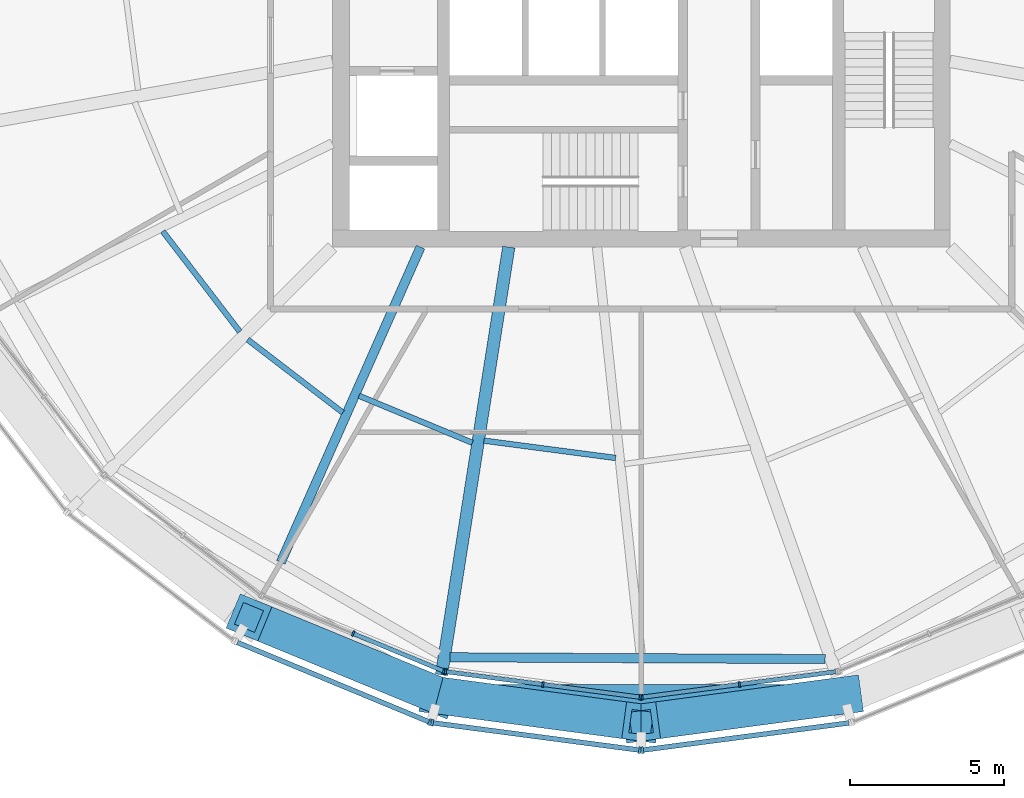
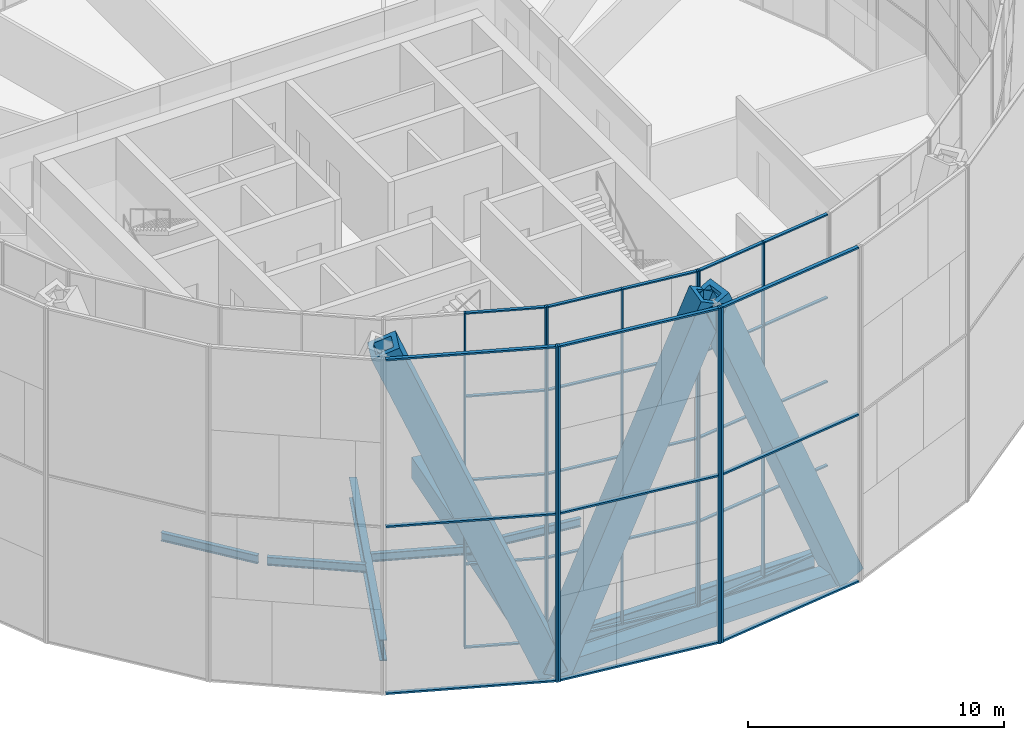
# One storey, part 2 of 30: 48 members, 8 beams, 6 elements without a shape of their own.
"""IFC4 building model written with IfcOpenShell, lengths in metres."""

import ifcopenshell
import ifcopenshell.guid

model = None  # the IFC model being written
_history = None  # IfcOwnerHistory: only IFC2X3 demands one
_inside = {}  # id of a spatial element -> (the spatial element, [elements in it])
_under = {}  # id of a project, library or spatial element -> (it, [spatial elements below it])
_declared = {}  # id of a project -> (the project, [libraries it declares])
_typed = {}  # id of a type object -> (the type object, [elements of that type])
_made_of = {}  # id of a material, layer set ... -> (it, [elements and type objects made of it])


def new_model(schema):
    """Start an empty IFC model of exactly this schema.

    Asked for "IFC4X3", IfcOpenShell would pick the latest addendum, in which some entities
    have other attributes; the version numbers below select the first issue.
    IFC2X3 requires an IfcOwnerHistory on every rooted entity: one is made here for all.
    """
    global model, _history
    if schema == "IFC4X3":
        model = ifcopenshell.file(schema_version=(4, 3, 0, 0))
    else:
        model = ifcopenshell.file(schema=schema)
    _inside.clear()
    _under.clear()
    _declared.clear()
    _typed.clear()
    _made_of.clear()
    _history = None
    if model.schema == "IFC2X3":
        org = make("IfcOrganization", Name="unknown")
        user = make(
            "IfcPersonAndOrganization",
            ThePerson=make("IfcPerson", FamilyName="unknown"),
            TheOrganization=org,
        )
        app = make(
            "IfcApplication",
            ApplicationDeveloper=org,
            Version="unknown",
            ApplicationFullName="unknown",
            ApplicationIdentifier="unknown",
        )
        _history = make(
            "IfcOwnerHistory",
            OwningUser=user,
            OwningApplication=app,
            ChangeAction="ADDED",
            CreationDate=0,
        )
    return model


def make(cls, **values):
    """One entity of the class cls with the attributes given. An attribute that is None is left unset."""
    return model.create_entity(
        cls, **{name: value for name, value in values.items() if value is not None}
    )


def rooted(cls, **values):
    """An entity with a GlobalId (a new one), such as an element, a storey or a relation."""
    return make(cls, GlobalId=ifcopenshell.guid.new(), OwnerHistory=_history, **values)


def si_unit(unit_type, name, prefix=None):
    """IfcSIUnit, for example si_unit("LENGTHUNIT", "METRE", prefix="MILLI")."""
    return make("IfcSIUnit", UnitType=unit_type, Prefix=prefix, Name=name)


def assignment(units):
    """IfcUnitAssignment: the units of a project."""
    return None if units is None else make("IfcUnitAssignment", Units=units)


def point(xyz):
    """IfcCartesianPoint."""
    return None if xyz is None else make("IfcCartesianPoint", Coordinates=xyz)


def direction(xyz):
    """IfcDirection."""
    return None if xyz is None else make("IfcDirection", DirectionRatios=xyz)


def frame(location, z_axis=None, x_axis=None):
    """IfcAxis2Placement3D, a coordinate frame: its origin and axes. An axis left out is left unset."""
    return make(
        "IfcAxis2Placement3D",
        Location=point(location),
        Axis=direction(z_axis),
        RefDirection=direction(x_axis),
    )


def frame_2d(location, x_axis=None):
    """IfcAxis2Placement2D, a coordinate frame in the plane: its origin and x axis."""
    return make(
        "IfcAxis2Placement2D", Location=point(location), RefDirection=direction(x_axis)
    )


def origin():
    """The frame at (0, 0, 0) with its axes left unset."""
    return frame((0.0, 0.0, 0.0))


def origin_2d():
    """The frame at (0, 0) in the plane with its x axis left unset."""
    return frame_2d((0.0, 0.0))


def place(relative_to, where):
    """IfcLocalPlacement: puts the frame where relative to a parent placement (None: the world)."""
    return make(
        "IfcLocalPlacement", PlacementRelTo=relative_to, RelativePlacement=where
    )


def context(
    kind, dimensions, precision=None, world=None, true_north=None, identifier=None
):
    """IfcGeometricRepresentationContext, for example the 3D "Model" context."""
    return make(
        "IfcGeometricRepresentationContext",
        ContextIdentifier=identifier,
        ContextType=kind,
        CoordinateSpaceDimension=dimensions,
        Precision=precision,
        WorldCoordinateSystem=world,
        TrueNorth=true_north,
    )


def subcontext(parent, identifier, kind, view, scale=None):
    """IfcGeometricRepresentationSubContext, for example "Body" below "Model"."""
    return make(
        "IfcGeometricRepresentationSubContext",
        ContextIdentifier=identifier,
        ContextType=kind,
        ParentContext=parent,
        TargetScale=scale,
        TargetView=view,
    )


def project(units=None, contexts=None):
    """IfcProject with its units and contexts."""
    return rooted(
        "IfcProject",
        Name="project",
        RepresentationContexts=contexts,
        UnitsInContext=assignment(units),
    )


def spatial(cls, under=None, at=None, **own):
    """A site, building, storey or space (cls), placed at a placement, below another one or the project."""
    s = rooted(cls, ObjectPlacement=at, **own)
    if under is not None:
        _under.setdefault(under.id(), (under, []))[1].append(s)
    return s


def profile(cls, at=None, kind="AREA", **sizes):
    """A parametric profile (cls). Its sizes go by their IFC names, for example OverallWidth=200.0."""
    return make(cls, ProfileType=kind, Position=at, **sizes)


def rectangle(**sizes):
    """IfcRectangleProfileDef."""
    return profile("IfcRectangleProfileDef", **sizes)


def hollow_rectangle(**sizes):
    """IfcRectangleHollowProfileDef."""
    return profile("IfcRectangleHollowProfileDef", **sizes)


def i_section(**sizes):
    """IfcIShapeProfileDef."""
    return profile("IfcIShapeProfileDef", **sizes)


def extrude(swept, where, along, depth):
    """IfcExtrudedAreaSolid: the profile swept, set in the frame where, extruded along a direction by depth."""
    return make(
        "IfcExtrudedAreaSolid",
        SweptArea=swept,
        Position=where,
        ExtrudedDirection=direction(along),
        Depth=depth,
    )


def shape(context_of_items, identifier, shape_type, items):
    """IfcShapeRepresentation: the items that make up one representation, for example the "Body"."""
    return make(
        "IfcShapeRepresentation",
        ContextOfItems=context_of_items,
        RepresentationIdentifier=identifier,
        RepresentationType=shape_type,
        Items=items,
    )


def material(Name=None, Category=None):
    """IfcMaterial."""
    return make("IfcMaterial", Name=Name, Category=Category)


def material_profile(
    of_material, cross_section, Name=None, Category=None, Priority=None
):
    """IfcMaterialProfile: a cross section and its material."""
    return make(
        "IfcMaterialProfile",
        Name=Name,
        Material=of_material,
        Profile=cross_section,
        Priority=Priority,
        Category=Category,
    )


def profile_set(profiles, Name=None, composite=None):
    """IfcMaterialProfileSet."""
    return make(
        "IfcMaterialProfileSet",
        Name=Name,
        MaterialProfiles=profiles,
        CompositeProfile=composite,
    )


def made_of(thing, what):
    """Note that an element or type object is made of a material, layer set ...; save() writes the relation."""
    if what is not None:
        _made_of.setdefault(what.id(), (what, []))[1].append(thing)
    return thing


def type_object(cls, material=None, **own):
    """A type object (cls), such as IfcWallType, which elements share."""
    return made_of(rooted(cls, **own), material)


def element(
    cls,
    number,
    at=None,
    inside=None,
    cuts=None,
    type_object=None,
    material=None,
    context=None,
    identifier="Body",
    shape_type=None,
    held_by="IfcProductDefinitionShape",
    body=None,
    shapes=None,
    **own,
):
    """One element of the class cls, such as IfcWall. Its Tag is "e" and its number.

    at: its placement. inside: the storey or other place that contains it. cuts: it is an
    opening in that element (IfcRelVoidsElement). A single representation is given by context,
    identifier, shape_type and body (its items); several are given by shapes. held_by: the class
    of the entity that holds the representations. save() writes the other relations.
    """
    e = rooted(cls, Tag="e%d" % number, ObjectPlacement=at, **own)
    if body is not None:
        shapes = [shape(context, identifier, shape_type, body)]
    if shapes is not None:
        e.Representation = make(held_by, Representations=shapes)
    if inside is not None:
        _inside.setdefault(inside.id(), (inside, []))[1].append(e)
    if cuts is not None:
        rooted(
            "IfcRelVoidsElement", RelatingBuildingElement=cuts, RelatedOpeningElement=e
        )
    if type_object is not None:
        _typed.setdefault(type_object.id(), (type_object, []))[1].append(e)
    return made_of(e, material)


def aggregate(whole, parts):
    """IfcRelAggregates: a whole, such as a stair, and the parts it consists of."""
    return rooted("IfcRelAggregates", RelatingObject=whole, RelatedObjects=parts)


def save(model, path):
    """Write the relations noted so far, then the file.

    IfcRelAggregates (storeys below a building ...), IfcRelContainedInSpatialStructure (elements
    in a storey), IfcRelDefinesByType, IfcRelAssociatesMaterial and IfcRelDeclares: one each for
    every whole, place, type object, material and project.
    """
    for whole, parts in _under.values():
        aggregate(whole, parts)
    for where, things in _inside.values():
        rooted(
            "IfcRelContainedInSpatialStructure",
            RelatedElements=things,
            RelatingStructure=where,
        )
    for kind, things in _typed.values():
        rooted("IfcRelDefinesByType", RelatedObjects=things, RelatingType=kind)
    for what, things in _made_of.values():
        rooted("IfcRelAssociatesMaterial", RelatedObjects=things, RelatingMaterial=what)
    for by, libraries in _declared.values():
        rooted("IfcRelDeclares", RelatingContext=by, RelatedDefinitions=libraries)
    model.write(path)


model = new_model("IFC4")

# Units and contexts
model_context = context("Model", 3, precision=1e-05, world=origin(), true_north=direction((0.0, 1.0)))
body_context = subcontext(model_context, "Body", "Model", "MODEL_VIEW")
ifc_project = project(units=[si_unit("LENGTHUNIT", "METRE"), si_unit("AREAUNIT", "SQUARE_METRE"), si_unit("VOLUMEUNIT", "CUBIC_METRE"), si_unit("PLANEANGLEUNIT", "RADIAN"), si_unit("MASSUNIT", "GRAM", prefix="KILO")], contexts=[model_context])

# Site, building, storey
site_placement = place(None, origin())
site = spatial("IfcSite", under=ifc_project, at=site_placement, CompositionType="ELEMENT")
building_placement = place(site_placement, origin())
building = spatial("IfcBuilding", under=site, at=building_placement, Name="Golbaran Civic Tower", CompositionType="ELEMENT")
storey_placement = place(building_placement, frame((0.0, 0.0, 102.0)))
storey = spatial("IfcBuildingStorey", under=building, at=storey_placement, Name="L24", CompositionType="ELEMENT", Elevation=102.0)

# Members
ifc_material_1 = material(Name="Steel S355", Category="steel")
ifc_material_profile_1 = material_profile(ifc_material_1, hollow_rectangle(XDim=1.199951171875, YDim=1.199951171875, WallThickness=0.219970703125, at=origin_2d()), Name="BOX 1200x1200x220")
ifc_profile_set_1 = profile_set([ifc_material_profile_1], Name="Steel S355")
member_type_1 = type_object("IfcMemberType", Name="DIAGRID DIAGONAL BOX 1200x1200x220", PredefinedType="BRACE", material=ifc_profile_set_1)
for number, where, z_axis, x_axis, name in (
    (1, (-6.569091796875, -24.51611328125, -0.7099609375), (0.379315997273, -0.050637494414, 0.923880521697), (0.132322975426, 0.991206653617, 0.0), "Diagonal D05-08R L24-L28"),
    (2, (-6.569091796875, -24.51611328125, -0.7099609375), (-0.353814050585, 0.145808380158, 0.923880692451), (-0.381018447137, -0.924567435583, 0.0), "Diagonal D05-08L L24-L28"),
    (3, (6.569091796875, -24.51611328125, -0.7099609375), (-0.379315997273, -0.050637494414, 0.923880521697), (0.132322975426, -0.991206653617, 0.0), "Diagonal D05-09L L24-L28"),
):
    element("IfcMember", number, at=place(storey_placement, frame(where, z_axis=z_axis, x_axis=x_axis)), inside=storey, type_object=member_type_1, Name=name, PredefinedType="BRACE", context=body_context, shape_type="SweptSolid", body=[
        extrude(hollow_rectangle(XDim=1.199951171875, YDim=1.199951171875, WallThickness=0.219970703125, at=origin_2d()), origin(), (0.0, 0.0, 1.0), 17.318359375),
    ])

# Beams
ifc_material_profile_2 = material_profile(ifc_material_1, hollow_rectangle(XDim=0.699951171875, YDim=0.699951171875, WallThickness=0.080078125, at=origin_2d()), Name="BOX 700x700x80")
ifc_profile_set_2 = profile_set([ifc_material_profile_2], Name="Steel S355")
beam_type_1 = type_object("IfcBeamType", Name="DIAGRID RING TIE BOX 700x700x80", PredefinedType="BEAM", material=ifc_profile_set_2)
beam_1_placement = place(storey_placement, frame((-6.569091796875, -24.51611328125, -0.7099609375), z_axis=(1.0, 0.0, 0.0), x_axis=(0.0, 1.0, 0.0)))
element("IfcBeam", 4, at=beam_1_placement, inside=storey, type_object=beam_type_1, Name="Ring tie 255.00 L24", PredefinedType="BEAM", context=body_context, shape_type="SweptSolid", body=[
    extrude(hollow_rectangle(XDim=0.699951171875, YDim=0.699951171875, WallThickness=0.080078125, at=origin_2d()), origin(), (0.0, 0.0, 1.0), 13.13818359375),
])
ifc_material_profile_3 = material_profile(ifc_material_1, i_section(OverallWidth=0.300048828125, OverallDepth=0.800048828125, WebThickness=0.017578125, FlangeThickness=0.032958984375, FilletRadius=0.030029296875, at=origin_2d()), Name="HEB 800")
ifc_profile_set_3 = profile_set([ifc_material_profile_3], Name="Steel S355")
beam_type_2 = type_object("IfcBeamType", Name="EDGE BEAM HEB 800", PredefinedType="BEAM", material=ifc_profile_set_3)
beam_2_placement = place(storey_placement, frame((-6.192626953125, -23.281494140625, -0.60009765625), z_axis=(0.999988572418, -0.004780693816, 0.0), x_axis=(0.004780693816, 0.999988572418, 0.0)))
element("IfcBeam", 5, at=beam_2_placement, inside=storey, type_object=beam_type_2, Name="Edge beam 255.00 L24", PredefinedType="BEAM", context=body_context, shape_type="SweptSolid", body=[
    extrude(i_section(OverallWidth=0.300048828125, OverallDepth=0.800048828125, WebThickness=0.017578125, FlangeThickness=0.032958984375, FilletRadius=0.030029296875, at=origin_2d()), origin(), (0.0, 0.0, 1.0), 12.154296875),
])
ifc_material_profile_4 = material_profile(ifc_material_1, i_section(OverallWidth=0.179931640625, OverallDepth=0.39990234375, WebThickness=0.008544921875, FlangeThickness=0.013427734375, FilletRadius=0.02099609375, at=origin_2d()), Name="IPE 400")
ifc_profile_set_4 = profile_set([ifc_material_profile_4], Name="Steel S355")
beam_type_3 = type_object("IfcBeamType", Name="FLOOR INFILL BEAM IPE 400", PredefinedType="BEAM", material=ifc_profile_set_4)
beam_3_placement = place(storey_placement, frame((-15.48828125, -9.48876953125, -0.39990234375), z_axis=(0.608762972418, -0.793352155989, 0.0), x_axis=(0.793352155989, 0.608762972418, 0.0)))
element("IfcBeam", 6, at=beam_3_placement, inside=storey, type_object=beam_type_3, Name="Infill beam 217.50 L24", PredefinedType="BEAM", context=body_context, shape_type="SweptSolid", body=[
    extrude(i_section(OverallWidth=0.179931640625, OverallDepth=0.39990234375, WebThickness=0.008544921875, FlangeThickness=0.013427734375, FilletRadius=0.02099609375, at=origin_2d()), origin(), (0.0, 0.0, 1.0), 4.097412109375),
])
beam_4_placement = place(storey_placement, frame((-12.739990234375, -12.99462890625, -0.39990234375), z_axis=(0.793364412918, -0.608746998609, 0.0), x_axis=(0.608746998609, 0.793364412918, 0.0)))
element("IfcBeam", 7, at=beam_4_placement, inside=storey, type_object=beam_type_3, Name="Infill beam 232.50 L24", PredefinedType="BEAM", context=body_context, shape_type="SweptSolid", body=[
    extrude(i_section(OverallWidth=0.179931640625, OverallDepth=0.39990234375, WebThickness=0.008544921875, FlangeThickness=0.013427734375, FilletRadius=0.02099609375, at=origin_2d()), origin(), (0.0, 0.0, 1.0), 3.882568359375),
])
beam_5_placement = place(storey_placement, frame((-9.134521484375, -14.815185546875, -0.39990234375), z_axis=(0.923876761778, -0.382690121439, 0.0), x_axis=(0.382690121439, 0.923876761778, 0.0)))
element("IfcBeam", 8, at=beam_5_placement, inside=storey, type_object=beam_type_3, Name="Infill beam 247.50 L24", PredefinedType="BEAM", context=body_context, shape_type="SweptSolid", body=[
    extrude(i_section(OverallWidth=0.179931640625, OverallDepth=0.39990234375, WebThickness=0.008544921875, FlangeThickness=0.013427734375, FilletRadius=0.02099609375, at=origin_2d()), origin(), (0.0, 0.0, 1.0), 3.97265625),
])
beam_6_placement = place(storey_placement, frame((-5.08935546875, -16.266845703125, -0.39990234375), z_axis=(0.99145062314, -0.130482419791, 0.0), x_axis=(0.130482419791, 0.99145062314, 0.0)))
element("IfcBeam", 9, at=beam_6_placement, inside=storey, type_object=beam_type_3, Name="Infill beam 262.50 L24", PredefinedType="BEAM", context=body_context, shape_type="SweptSolid", body=[
    extrude(i_section(OverallWidth=0.179931640625, OverallDepth=0.39990234375, WebThickness=0.008544921875, FlangeThickness=0.013427734375, FilletRadius=0.02099609375, at=origin_2d()), origin(), (0.0, 0.0, 1.0), 4.2998046875),
])

# Curtain wall, members
ifc_material_2 = material(Name="Aluminium and glass", Category="aluminium")
curtain_wall_type_1 = type_object("IfcCurtainWallType", Name="INNER SKIN CURTAIN WALL", PredefinedType="NOTDEFINED", material=ifc_material_2)
curtain_wall_1_placement = place(storey_placement, origin())
curtain_wall_1 = element("IfcCurtainWall", 10, at=curtain_wall_1_placement, inside=storey, type_object=curtain_wall_type_1, Name="Inner skin L24 facet 17 CW1", ObjectType="INNER SKIN", PredefinedType="USERDEFINED")
ifc_material_3 = material(Name="Aluminium", Category="aluminium")
ifc_material_profile_5 = material_profile(ifc_material_3, rectangle(XDim=0.179931640625, YDim=0.06494140625, at=origin_2d()), Name="INNER SKIN CURTAIN WALL MULLION")
ifc_profile_set_5 = profile_set([ifc_material_profile_5], Name="Aluminium")
member_type_2 = type_object("IfcMemberType", Name="INNER SKIN CURTAIN WALL MULLION", PredefinedType="MULLION", material=ifc_profile_set_5)
member_1_placement = place(storey_placement, frame((-9.3251953125, -22.512939453125, 0.0), z_axis=(0.0, 0.0, 1.0), x_axis=(0.382683432478, 0.923879532465, 0.0)))
member_1 = element("IfcMember", 11, at=member_1_placement, type_object=member_type_2, Name="CW1 mullion 2", PredefinedType="MULLION", context=body_context, shape_type="SweptSolid", body=[
    extrude(rectangle(XDim=0.179931640625, YDim=0.06494140625, at=origin_2d()), origin(), (0.0, 0.0, 1.0), 16.0),
])
member_2_placement = place(storey_placement, frame((-6.391357421875, -23.72802734375, 0.0), z_axis=(0.0, 0.0, 1.0), x_axis=(0.382683432478, 0.923879532465, 0.0)))
member_2 = element("IfcMember", 12, at=member_2_placement, type_object=member_type_2, Name="CW1 mullion 3", PredefinedType="MULLION", context=body_context, shape_type="SweptSolid", body=[
    extrude(rectangle(XDim=0.179931640625, YDim=0.06494140625, at=origin_2d()), origin(), (0.0, 0.0, 1.0), 16.0),
])

curtain_wall_2_placement = place(storey_placement, origin())
curtain_wall_2 = element("IfcCurtainWall", 13, at=curtain_wall_2_placement, inside=storey, type_object=curtain_wall_type_1, Name="Inner skin L24 facet 18 CW1", ObjectType="INNER SKIN", PredefinedType="USERDEFINED")
member_3_placement = place(storey_placement, frame((-6.3291015625, -23.744873046875, 0.0), z_axis=(0.0, 0.0, 1.0), x_axis=(0.130526192134, 0.991444861385, 0.0)))
member_3 = element("IfcMember", 14, at=member_3_placement, type_object=member_type_2, Name="CW1 mullion 1", PredefinedType="MULLION", context=body_context, shape_type="SweptSolid", body=[
    extrude(rectangle(XDim=0.179931640625, YDim=0.06494140625, at=origin_2d()), origin(), (0.0, 0.0, 1.0), 16.0),
])
member_4_placement = place(storey_placement, frame((-3.1806640625, -24.1591796875, 0.0), z_axis=(0.0, 0.0, 1.0), x_axis=(0.130526192134, 0.991444861385, 0.0)))
member_4 = element("IfcMember", 15, at=member_4_placement, type_object=member_type_2, Name="CW1 mullion 2", PredefinedType="MULLION", context=body_context, shape_type="SweptSolid", body=[
    extrude(rectangle(XDim=0.179931640625, YDim=0.06494140625, at=origin_2d()), origin(), (0.0, 0.0, 1.0), 16.0),
])
member_5_placement = place(storey_placement, frame((-0.0322265625, -24.57373046875, 0.0), z_axis=(0.0, 0.0, 1.0), x_axis=(0.130526192134, 0.991444861385, 0.0)))
member_5 = element("IfcMember", 16, at=member_5_placement, type_object=member_type_2, Name="CW1 mullion 3", PredefinedType="MULLION", context=body_context, shape_type="SweptSolid", body=[
    extrude(rectangle(XDim=0.179931640625, YDim=0.06494140625, at=origin_2d()), origin(), (0.0, 0.0, 1.0), 16.0),
])

curtain_wall_3_placement = place(storey_placement, origin())
curtain_wall_3 = element("IfcCurtainWall", 17, at=curtain_wall_3_placement, inside=storey, type_object=curtain_wall_type_1, Name="Inner skin L24 facet 19 CW1", ObjectType="INNER SKIN", PredefinedType="USERDEFINED")
member_6_placement = place(storey_placement, frame((0.0322265625, -24.57373046875, 0.0), z_axis=(0.0, 0.0, 1.0), x_axis=(-0.130526192134, 0.991444861385, 0.0)))
member_6 = element("IfcMember", 18, at=member_6_placement, type_object=member_type_2, Name="CW1 mullion 1", PredefinedType="MULLION", context=body_context, shape_type="SweptSolid", body=[
    extrude(rectangle(XDim=0.179931640625, YDim=0.06494140625, at=origin_2d()), origin(), (0.0, 0.0, 1.0), 16.0),
])
member_7_placement = place(storey_placement, frame((3.1806640625, -24.1591796875, 0.0), z_axis=(0.0, 0.0, 1.0), x_axis=(-0.130526192134, 0.991444861385, 0.0)))
member_7 = element("IfcMember", 19, at=member_7_placement, type_object=member_type_2, Name="CW1 mullion 2", PredefinedType="MULLION", context=body_context, shape_type="SweptSolid", body=[
    extrude(rectangle(XDim=0.179931640625, YDim=0.06494140625, at=origin_2d()), origin(), (0.0, 0.0, 1.0), 16.0),
])

# Member
ifc_material_profile_6 = material_profile(ifc_material_3, rectangle(XDim=0.139892578125, YDim=0.06494140625, at=origin_2d()), Name="INNER SKIN CURTAIN WALL TRANSOM")
ifc_profile_set_6 = profile_set([ifc_material_profile_6], Name="Aluminium")
member_type_3 = type_object("IfcMemberType", Name="INNER SKIN CURTAIN WALL TRANSOM", PredefinedType="USERDEFINED", material=ifc_profile_set_6)
member_8_placement = place(storey_placement, frame((-9.295166015625, -22.525390625, 0.032470703125), z_axis=(0.923899174075, -0.382636009992, 0.0), x_axis=(0.382636009992, 0.923899174075, 0.0)))
member_8 = element("IfcMember", 20, at=member_8_placement, type_object=member_type_3, Name="CW1 transom 2.1", ObjectType="TRANSOM", PredefinedType="USERDEFINED", context=body_context, shape_type="SweptSolid", body=[
    extrude(rectangle(XDim=0.139892578125, YDim=0.06494140625, at=origin_2d()), origin(), (0.0, 0.0, 1.0), 3.110595703125),
])

member_9_placement = place(storey_placement, frame((-9.295166015625, -22.525390625, 4.0), z_axis=(0.923899174075, -0.382636009992, 0.0), x_axis=(0.382636009992, 0.923899174075, 0.0)))
member_9 = element("IfcMember", 21, at=member_9_placement, type_object=member_type_3, Name="CW1 transom 2.2", ObjectType="TRANSOM", PredefinedType="USERDEFINED", context=body_context, shape_type="SweptSolid", body=[
    extrude(rectangle(XDim=0.139892578125, YDim=0.06494140625, at=origin_2d()), origin(), (0.0, 0.0, 1.0), 3.110595703125),
])

member_10_placement = place(storey_placement, frame((-9.295166015625, -22.525390625, 8.0), z_axis=(0.923899174075, -0.382636009992, 0.0), x_axis=(0.382636009992, 0.923899174075, 0.0)))
member_10 = element("IfcMember", 22, at=member_10_placement, type_object=member_type_3, Name="CW1 transom 2.3", ObjectType="TRANSOM", PredefinedType="USERDEFINED", context=body_context, shape_type="SweptSolid", body=[
    extrude(rectangle(XDim=0.139892578125, YDim=0.06494140625, at=origin_2d()), origin(), (0.0, 0.0, 1.0), 3.110595703125),
])

member_11_placement = place(storey_placement, frame((-9.295166015625, -22.525390625, 12.0), z_axis=(0.923899174075, -0.382636009992, 0.0), x_axis=(0.382636009992, 0.923899174075, 0.0)))
member_11 = element("IfcMember", 23, at=member_11_placement, type_object=member_type_3, Name="CW1 transom 2.4", ObjectType="TRANSOM", PredefinedType="USERDEFINED", context=body_context, shape_type="SweptSolid", body=[
    extrude(rectangle(XDim=0.139892578125, YDim=0.06494140625, at=origin_2d()), origin(), (0.0, 0.0, 1.0), 3.110595703125),
])

member_12_placement = place(storey_placement, frame((-9.295166015625, -22.525390625, 15.967529296875), z_axis=(0.923899174075, -0.382636009992, 0.0), x_axis=(0.382636009992, 0.923899174075, 0.0)))
member_12 = element("IfcMember", 24, at=member_12_placement, type_object=member_type_3, Name="CW1 transom 2.5", ObjectType="TRANSOM", PredefinedType="USERDEFINED", context=body_context, shape_type="SweptSolid", body=[
    extrude(rectangle(XDim=0.139892578125, YDim=0.06494140625, at=origin_2d()), origin(), (0.0, 0.0, 1.0), 3.110595703125),
])

aggregate(curtain_wall_1, [member_1, member_2, member_8, member_9, member_10, member_11, member_12])

member_13_placement = place(storey_placement, frame((-6.296875, -23.7490234375, 0.032470703125), z_axis=(0.991445210256, -0.130523542167, 0.0), x_axis=(0.130523542167, 0.991445210256, 0.0)))
member_13 = element("IfcMember", 25, at=member_13_placement, type_object=member_type_3, Name="CW1 transom 1.1", ObjectType="TRANSOM", PredefinedType="USERDEFINED", context=body_context, shape_type="SweptSolid", body=[
    extrude(rectangle(XDim=0.139892578125, YDim=0.06494140625, at=origin_2d()), origin(), (0.0, 0.0, 1.0), 3.110595703125),
])

member_14_placement = place(storey_placement, frame((-6.296875, -23.7490234375, 4.0), z_axis=(0.991445210256, -0.130523542167, 0.0), x_axis=(0.130523542167, 0.991445210256, 0.0)))
member_14 = element("IfcMember", 26, at=member_14_placement, type_object=member_type_3, Name="CW1 transom 1.2", ObjectType="TRANSOM", PredefinedType="USERDEFINED", context=body_context, shape_type="SweptSolid", body=[
    extrude(rectangle(XDim=0.139892578125, YDim=0.06494140625, at=origin_2d()), origin(), (0.0, 0.0, 1.0), 3.110595703125),
])

member_15_placement = place(storey_placement, frame((-6.296875, -23.7490234375, 8.0), z_axis=(0.991445210256, -0.130523542167, 0.0), x_axis=(0.130523542167, 0.991445210256, 0.0)))
member_15 = element("IfcMember", 27, at=member_15_placement, type_object=member_type_3, Name="CW1 transom 1.3", ObjectType="TRANSOM", PredefinedType="USERDEFINED", context=body_context, shape_type="SweptSolid", body=[
    extrude(rectangle(XDim=0.139892578125, YDim=0.06494140625, at=origin_2d()), origin(), (0.0, 0.0, 1.0), 3.110595703125),
])

member_16_placement = place(storey_placement, frame((-6.296875, -23.7490234375, 12.0), z_axis=(0.991445210256, -0.130523542167, 0.0), x_axis=(0.130523542167, 0.991445210256, 0.0)))
member_16 = element("IfcMember", 28, at=member_16_placement, type_object=member_type_3, Name="CW1 transom 1.4", ObjectType="TRANSOM", PredefinedType="USERDEFINED", context=body_context, shape_type="SweptSolid", body=[
    extrude(rectangle(XDim=0.139892578125, YDim=0.06494140625, at=origin_2d()), origin(), (0.0, 0.0, 1.0), 3.110595703125),
])

member_17_placement = place(storey_placement, frame((-6.296875, -23.7490234375, 15.967529296875), z_axis=(0.991445210256, -0.130523542167, 0.0), x_axis=(0.130523542167, 0.991445210256, 0.0)))
member_17 = element("IfcMember", 29, at=member_17_placement, type_object=member_type_3, Name="CW1 transom 1.5", ObjectType="TRANSOM", PredefinedType="USERDEFINED", context=body_context, shape_type="SweptSolid", body=[
    extrude(rectangle(XDim=0.139892578125, YDim=0.06494140625, at=origin_2d()), origin(), (0.0, 0.0, 1.0), 3.110595703125),
])

member_18_placement = place(storey_placement, frame((-3.1484375, -24.16357421875, 0.032470703125), z_axis=(0.991445210256, -0.130523542167, 0.0), x_axis=(0.130523542167, 0.991445210256, 0.0)))
member_18 = element("IfcMember", 30, at=member_18_placement, type_object=member_type_3, Name="CW1 transom 2.1", ObjectType="TRANSOM", PredefinedType="USERDEFINED", context=body_context, shape_type="SweptSolid", body=[
    extrude(rectangle(XDim=0.139892578125, YDim=0.06494140625, at=origin_2d()), origin(), (0.0, 0.0, 1.0), 3.110595703125),
])

member_19_placement = place(storey_placement, frame((-3.1484375, -24.16357421875, 4.0), z_axis=(0.991445210256, -0.130523542167, 0.0), x_axis=(0.130523542167, 0.991445210256, 0.0)))
member_19 = element("IfcMember", 31, at=member_19_placement, type_object=member_type_3, Name="CW1 transom 2.2", ObjectType="TRANSOM", PredefinedType="USERDEFINED", context=body_context, shape_type="SweptSolid", body=[
    extrude(rectangle(XDim=0.139892578125, YDim=0.06494140625, at=origin_2d()), origin(), (0.0, 0.0, 1.0), 3.110595703125),
])

member_20_placement = place(storey_placement, frame((-3.1484375, -24.16357421875, 8.0), z_axis=(0.991445210256, -0.130523542167, 0.0), x_axis=(0.130523542167, 0.991445210256, 0.0)))
member_20 = element("IfcMember", 32, at=member_20_placement, type_object=member_type_3, Name="CW1 transom 2.3", ObjectType="TRANSOM", PredefinedType="USERDEFINED", context=body_context, shape_type="SweptSolid", body=[
    extrude(rectangle(XDim=0.139892578125, YDim=0.06494140625, at=origin_2d()), origin(), (0.0, 0.0, 1.0), 3.110595703125),
])

member_21_placement = place(storey_placement, frame((-3.1484375, -24.16357421875, 12.0), z_axis=(0.991445210256, -0.130523542167, 0.0), x_axis=(0.130523542167, 0.991445210256, 0.0)))
member_21 = element("IfcMember", 33, at=member_21_placement, type_object=member_type_3, Name="CW1 transom 2.4", ObjectType="TRANSOM", PredefinedType="USERDEFINED", context=body_context, shape_type="SweptSolid", body=[
    extrude(rectangle(XDim=0.139892578125, YDim=0.06494140625, at=origin_2d()), origin(), (0.0, 0.0, 1.0), 3.110595703125),
])

member_22_placement = place(storey_placement, frame((-3.1484375, -24.16357421875, 15.967529296875), z_axis=(0.991445210256, -0.130523542167, 0.0), x_axis=(0.130523542167, 0.991445210256, 0.0)))
member_22 = element("IfcMember", 34, at=member_22_placement, type_object=member_type_3, Name="CW1 transom 2.5", ObjectType="TRANSOM", PredefinedType="USERDEFINED", context=body_context, shape_type="SweptSolid", body=[
    extrude(rectangle(XDim=0.139892578125, YDim=0.06494140625, at=origin_2d()), origin(), (0.0, 0.0, 1.0), 3.110595703125),
])

aggregate(curtain_wall_2, [member_3, member_4, member_5, member_13, member_14, member_15, member_16, member_17, member_18, member_19, member_20, member_21, member_22])

member_23_placement = place(storey_placement, frame((0.064453125, -24.569580078125, 0.032470703125), z_axis=(0.991445210256, 0.130523542167, 0.0), x_axis=(-0.130523542167, 0.991445210256, 0.0)))
member_23 = element("IfcMember", 35, at=member_23_placement, type_object=member_type_3, Name="CW1 transom 1.1", ObjectType="TRANSOM", PredefinedType="USERDEFINED", context=body_context, shape_type="SweptSolid", body=[
    extrude(rectangle(XDim=0.139892578125, YDim=0.06494140625, at=origin_2d()), origin(), (0.0, 0.0, 1.0), 3.110595703125),
])

member_24_placement = place(storey_placement, frame((0.064453125, -24.569580078125, 4.0), z_axis=(0.991445210256, 0.130523542167, 0.0), x_axis=(-0.130523542167, 0.991445210256, 0.0)))
member_24 = element("IfcMember", 36, at=member_24_placement, type_object=member_type_3, Name="CW1 transom 1.2", ObjectType="TRANSOM", PredefinedType="USERDEFINED", context=body_context, shape_type="SweptSolid", body=[
    extrude(rectangle(XDim=0.139892578125, YDim=0.06494140625, at=origin_2d()), origin(), (0.0, 0.0, 1.0), 3.110595703125),
])

member_25_placement = place(storey_placement, frame((0.064453125, -24.569580078125, 8.0), z_axis=(0.991445210256, 0.130523542167, 0.0), x_axis=(-0.130523542167, 0.991445210256, 0.0)))
member_25 = element("IfcMember", 37, at=member_25_placement, type_object=member_type_3, Name="CW1 transom 1.3", ObjectType="TRANSOM", PredefinedType="USERDEFINED", context=body_context, shape_type="SweptSolid", body=[
    extrude(rectangle(XDim=0.139892578125, YDim=0.06494140625, at=origin_2d()), origin(), (0.0, 0.0, 1.0), 3.110595703125),
])

member_26_placement = place(storey_placement, frame((0.064453125, -24.569580078125, 12.0), z_axis=(0.991445210256, 0.130523542167, 0.0), x_axis=(-0.130523542167, 0.991445210256, 0.0)))
member_26 = element("IfcMember", 38, at=member_26_placement, type_object=member_type_3, Name="CW1 transom 1.4", ObjectType="TRANSOM", PredefinedType="USERDEFINED", context=body_context, shape_type="SweptSolid", body=[
    extrude(rectangle(XDim=0.139892578125, YDim=0.06494140625, at=origin_2d()), origin(), (0.0, 0.0, 1.0), 3.110595703125),
])

member_27_placement = place(storey_placement, frame((0.064453125, -24.569580078125, 15.967529296875), z_axis=(0.991445210256, 0.130523542167, 0.0), x_axis=(-0.130523542167, 0.991445210256, 0.0)))
member_27 = element("IfcMember", 39, at=member_27_placement, type_object=member_type_3, Name="CW1 transom 1.5", ObjectType="TRANSOM", PredefinedType="USERDEFINED", context=body_context, shape_type="SweptSolid", body=[
    extrude(rectangle(XDim=0.139892578125, YDim=0.06494140625, at=origin_2d()), origin(), (0.0, 0.0, 1.0), 3.110595703125),
])

member_28_placement = place(storey_placement, frame((3.212890625, -24.155029296875, 0.032470703125), z_axis=(0.991445210256, 0.130523542167, 0.0), x_axis=(-0.130523542167, 0.991445210256, 0.0)))
member_28 = element("IfcMember", 40, at=member_28_placement, type_object=member_type_3, Name="CW1 transom 2.1", ObjectType="TRANSOM", PredefinedType="USERDEFINED", context=body_context, shape_type="SweptSolid", body=[
    extrude(rectangle(XDim=0.139892578125, YDim=0.06494140625, at=origin_2d()), origin(), (0.0, 0.0, 1.0), 3.110595703125),
])

member_29_placement = place(storey_placement, frame((3.212890625, -24.155029296875, 4.0), z_axis=(0.991445210256, 0.130523542167, 0.0), x_axis=(-0.130523542167, 0.991445210256, 0.0)))
member_29 = element("IfcMember", 41, at=member_29_placement, type_object=member_type_3, Name="CW1 transom 2.2", ObjectType="TRANSOM", PredefinedType="USERDEFINED", context=body_context, shape_type="SweptSolid", body=[
    extrude(rectangle(XDim=0.139892578125, YDim=0.06494140625, at=origin_2d()), origin(), (0.0, 0.0, 1.0), 3.110595703125),
])

member_30_placement = place(storey_placement, frame((3.212890625, -24.155029296875, 8.0), z_axis=(0.991445210256, 0.130523542167, 0.0), x_axis=(-0.130523542167, 0.991445210256, 0.0)))
member_30 = element("IfcMember", 42, at=member_30_placement, type_object=member_type_3, Name="CW1 transom 2.3", ObjectType="TRANSOM", PredefinedType="USERDEFINED", context=body_context, shape_type="SweptSolid", body=[
    extrude(rectangle(XDim=0.139892578125, YDim=0.06494140625, at=origin_2d()), origin(), (0.0, 0.0, 1.0), 3.110595703125),
])

member_31_placement = place(storey_placement, frame((3.212890625, -24.155029296875, 12.0), z_axis=(0.991445210256, 0.130523542167, 0.0), x_axis=(-0.130523542167, 0.991445210256, 0.0)))
member_31 = element("IfcMember", 43, at=member_31_placement, type_object=member_type_3, Name="CW1 transom 2.4", ObjectType="TRANSOM", PredefinedType="USERDEFINED", context=body_context, shape_type="SweptSolid", body=[
    extrude(rectangle(XDim=0.139892578125, YDim=0.06494140625, at=origin_2d()), origin(), (0.0, 0.0, 1.0), 3.110595703125),
])

member_32_placement = place(storey_placement, frame((3.212890625, -24.155029296875, 15.967529296875), z_axis=(0.991445210256, 0.130523542167, 0.0), x_axis=(-0.130523542167, 0.991445210256, 0.0)))
member_32 = element("IfcMember", 44, at=member_32_placement, type_object=member_type_3, Name="CW1 transom 2.5", ObjectType="TRANSOM", PredefinedType="USERDEFINED", context=body_context, shape_type="SweptSolid", body=[
    extrude(rectangle(XDim=0.139892578125, YDim=0.06494140625, at=origin_2d()), origin(), (0.0, 0.0, 1.0), 3.110595703125),
])

aggregate(curtain_wall_3, [member_6, member_7, member_23, member_24, member_25, member_26, member_27, member_28, member_29, member_30, member_31, member_32])

# Curtain wall, member
curtain_wall_type_2 = type_object("IfcCurtainWallType", Name="OUTER SKIN TERRACOTTA SCREEN", PredefinedType="NOTDEFINED", material=ifc_material_2)
curtain_wall_4_placement = place(storey_placement, origin())
curtain_wall_4 = element("IfcCurtainWall", 45, at=curtain_wall_4_placement, inside=storey, type_object=curtain_wall_type_2, Name="Outer skin L24 facet 17 CW3", ObjectType="OUTER SKIN", PredefinedType="USERDEFINED")
ifc_material_profile_7 = material_profile(ifc_material_3, rectangle(XDim=0.219970703125, YDim=0.080078125, at=origin_2d()), Name="OUTER SKIN TERRACOTTA SCREEN MULLION")
ifc_profile_set_7 = profile_set([ifc_material_profile_7], Name="Aluminium")
member_type_4 = type_object("IfcMemberType", Name="OUTER SKIN TERRACOTTA SCREEN MULLION", PredefinedType="MULLION", material=ifc_profile_set_7)
member_33_placement = place(storey_placement, frame((-6.842041015625, -25.3818359375, -0.7099609375), z_axis=(0.0, 0.0, 1.0), x_axis=(0.382683432381, 0.923879532505, 0.0)))
member_33 = element("IfcMember", 46, at=member_33_placement, type_object=member_type_4, Name="CW3 mullion 2", PredefinedType="MULLION", context=body_context, shape_type="SweptSolid", body=[
    extrude(rectangle(XDim=0.219970703125, YDim=0.080078125, at=origin_2d()), origin(), (0.0, 0.0, 1.0), 16.0),
])

# Curtain wall, members
curtain_wall_5_placement = place(storey_placement, origin())
curtain_wall_5 = element("IfcCurtainWall", 47, at=curtain_wall_5_placement, inside=storey, type_object=curtain_wall_type_2, Name="Outer skin L24 facet 18 CW3", ObjectType="OUTER SKIN", PredefinedType="USERDEFINED")
member_34_placement = place(storey_placement, frame((-6.765380859375, -25.40234375, -0.7099609375), z_axis=(0.0, 0.0, 1.0), x_axis=(0.130526192168, 0.991444861381, 0.0)))
member_34 = element("IfcMember", 48, at=member_34_placement, type_object=member_type_4, Name="CW3 mullion 1", PredefinedType="MULLION", context=body_context, shape_type="SweptSolid", body=[
    extrude(rectangle(XDim=0.219970703125, YDim=0.080078125, at=origin_2d()), origin(), (0.0, 0.0, 1.0), 16.0),
])
member_35_placement = place(storey_placement, frame((-0.03955078125, -26.287841796875, -0.7099609375), z_axis=(0.0, 0.0, 1.0), x_axis=(0.130526192168, 0.991444861381, 0.0)))
member_35 = element("IfcMember", 49, at=member_35_placement, type_object=member_type_4, Name="CW3 mullion 2", PredefinedType="MULLION", context=body_context, shape_type="SweptSolid", body=[
    extrude(rectangle(XDim=0.219970703125, YDim=0.080078125, at=origin_2d()), origin(), (0.0, 0.0, 1.0), 16.0),
])

# Curtain wall, member
curtain_wall_6_placement = place(storey_placement, origin())
curtain_wall_6 = element("IfcCurtainWall", 50, at=curtain_wall_6_placement, inside=storey, type_object=curtain_wall_type_2, Name="Outer skin L24 facet 19 CW3", ObjectType="OUTER SKIN", PredefinedType="USERDEFINED")
member_36_placement = place(storey_placement, frame((0.03955078125, -26.287841796875, -0.7099609375), z_axis=(0.0, 0.0, 1.0), x_axis=(-0.130526192168, 0.991444861381, 0.0)))
member_36 = element("IfcMember", 51, at=member_36_placement, type_object=member_type_4, Name="CW3 mullion 1", PredefinedType="MULLION", context=body_context, shape_type="SweptSolid", body=[
    extrude(rectangle(XDim=0.219970703125, YDim=0.080078125, at=origin_2d()), origin(), (0.0, 0.0, 1.0), 16.0),
])

# Member
ifc_material_profile_8 = material_profile(ifc_material_3, rectangle(XDim=0.159912109375, YDim=0.080078125, at=origin_2d()), Name="OUTER SKIN TERRACOTTA SCREEN TRANSOM")
ifc_profile_set_8 = profile_set([ifc_material_profile_8], Name="Aluminium")
member_type_5 = type_object("IfcMemberType", Name="OUTER SKIN TERRACOTTA SCREEN TRANSOM", PredefinedType="USERDEFINED", material=ifc_profile_set_8)
member_37_placement = place(storey_placement, frame((-13.072509765625, -22.801025390625, -0.669921875), z_axis=(0.923876566489, -0.382690592899, 0.0), x_axis=(0.382690592899, 0.923876566489, 0.0)))
member_37 = element("IfcMember", 52, at=member_37_placement, type_object=member_type_5, Name="CW3 transom 1.1", ObjectType="TRANSOM", PredefinedType="USERDEFINED", context=body_context, shape_type="SweptSolid", body=[
    extrude(rectangle(XDim=0.159912109375, YDim=0.080078125, at=origin_2d()), origin(), (0.0, 0.0, 1.0), 6.70361328125),
])

member_38_placement = place(storey_placement, frame((-13.072509765625, -22.801025390625, 7.2900390625), z_axis=(0.923876566489, -0.382690592899, 0.0), x_axis=(0.382690592899, 0.923876566489, 0.0)))
member_38 = element("IfcMember", 53, at=member_38_placement, type_object=member_type_5, Name="CW3 transom 1.2", ObjectType="TRANSOM", PredefinedType="USERDEFINED", context=body_context, shape_type="SweptSolid", body=[
    extrude(rectangle(XDim=0.159912109375, YDim=0.080078125, at=origin_2d()), origin(), (0.0, 0.0, 1.0), 6.70361328125),
])

member_39_placement = place(storey_placement, frame((-13.072509765625, -22.801025390625, 15.25), z_axis=(0.923876566489, -0.382690592899, 0.0), x_axis=(0.382690592899, 0.923876566489, 0.0)))
member_39 = element("IfcMember", 54, at=member_39_placement, type_object=member_type_5, Name="CW3 transom 1.3", ObjectType="TRANSOM", PredefinedType="USERDEFINED", context=body_context, shape_type="SweptSolid", body=[
    extrude(rectangle(XDim=0.159912109375, YDim=0.080078125, at=origin_2d()), origin(), (0.0, 0.0, 1.0), 6.70361328125),
])

aggregate(curtain_wall_4, [member_33, member_37, member_38, member_39])

member_40_placement = place(storey_placement, frame((-6.725830078125, -25.407470703125, -0.669921875), z_axis=(0.991445368442, -0.1305223406, 0.0), x_axis=(0.1305223406, 0.991445368442, 0.0)))
member_40 = element("IfcMember", 55, at=member_40_placement, type_object=member_type_5, Name="CW3 transom 1.1", ObjectType="TRANSOM", PredefinedType="USERDEFINED", context=body_context, shape_type="SweptSolid", body=[
    extrude(rectangle(XDim=0.159912109375, YDim=0.080078125, at=origin_2d()), origin(), (0.0, 0.0, 1.0), 6.703857421875),
])

member_41_placement = place(storey_placement, frame((-6.725830078125, -25.407470703125, 7.2900390625), z_axis=(0.991445368442, -0.1305223406, 0.0), x_axis=(0.1305223406, 0.991445368442, 0.0)))
member_41 = element("IfcMember", 56, at=member_41_placement, type_object=member_type_5, Name="CW3 transom 1.2", ObjectType="TRANSOM", PredefinedType="USERDEFINED", context=body_context, shape_type="SweptSolid", body=[
    extrude(rectangle(XDim=0.159912109375, YDim=0.080078125, at=origin_2d()), origin(), (0.0, 0.0, 1.0), 6.703857421875),
])

member_42_placement = place(storey_placement, frame((-6.725830078125, -25.407470703125, 15.25), z_axis=(0.991445368442, -0.1305223406, 0.0), x_axis=(0.1305223406, 0.991445368442, 0.0)))
member_42 = element("IfcMember", 57, at=member_42_placement, type_object=member_type_5, Name="CW3 transom 1.3", ObjectType="TRANSOM", PredefinedType="USERDEFINED", context=body_context, shape_type="SweptSolid", body=[
    extrude(rectangle(XDim=0.159912109375, YDim=0.080078125, at=origin_2d()), origin(), (0.0, 0.0, 1.0), 6.703857421875),
])

aggregate(curtain_wall_5, [member_34, member_35, member_40, member_41, member_42])

member_43_placement = place(storey_placement, frame((0.079345703125, -26.282470703125, -0.669921875), z_axis=(0.991445368442, 0.1305223406, 0.0), x_axis=(-0.1305223406, 0.991445368442, 0.0)))
member_43 = element("IfcMember", 58, at=member_43_placement, type_object=member_type_5, Name="CW3 transom 1.1", ObjectType="TRANSOM", PredefinedType="USERDEFINED", context=body_context, shape_type="SweptSolid", body=[
    extrude(rectangle(XDim=0.159912109375, YDim=0.080078125, at=origin_2d()), origin(), (0.0, 0.0, 1.0), 6.703857421875),
])

member_44_placement = place(storey_placement, frame((0.079345703125, -26.282470703125, 7.2900390625), z_axis=(0.991445368442, 0.1305223406, 0.0), x_axis=(-0.1305223406, 0.991445368442, 0.0)))
member_44 = element("IfcMember", 59, at=member_44_placement, type_object=member_type_5, Name="CW3 transom 1.2", ObjectType="TRANSOM", PredefinedType="USERDEFINED", context=body_context, shape_type="SweptSolid", body=[
    extrude(rectangle(XDim=0.159912109375, YDim=0.080078125, at=origin_2d()), origin(), (0.0, 0.0, 1.0), 6.703857421875),
])

member_45_placement = place(storey_placement, frame((0.079345703125, -26.282470703125, 15.25), z_axis=(0.991445368442, 0.1305223406, 0.0), x_axis=(-0.1305223406, 0.991445368442, 0.0)))
member_45 = element("IfcMember", 60, at=member_45_placement, type_object=member_type_5, Name="CW3 transom 1.3", ObjectType="TRANSOM", PredefinedType="USERDEFINED", context=body_context, shape_type="SweptSolid", body=[
    extrude(rectangle(XDim=0.159912109375, YDim=0.080078125, at=origin_2d()), origin(), (0.0, 0.0, 1.0), 6.703857421875),
])

aggregate(curtain_wall_6, [member_36, member_43, member_44, member_45])

# Beams
ifc_material_profile_9 = material_profile(ifc_material_1, hollow_rectangle(XDim=0.39990234375, YDim=1.0, WallThickness=0.0400390625, at=origin_2d()), Name="BOX 1000x400x40")
ifc_profile_set_9 = profile_set([ifc_material_profile_9], Name="Steel S355")
beam_type_4 = type_object("IfcBeamType", Name="RADIAL FLOOR BEAM BOX 1000x400x40", PredefinedType="BEAM", material=ifc_profile_set_9)
beam_7_placement = place(storey_placement, frame((-4.28564453125, -10.0, -0.7099609375), z_axis=(-0.15539925669, -0.987851745466, 0.0), x_axis=(0.987851745466, -0.15539925669, 0.0)))
element("IfcBeam", 61, at=beam_7_placement, inside=storey, type_object=beam_type_4, Name="Radial beam 255.00 L24", PredefinedType="BEAM", context=body_context, shape_type="SweptSolid", body=[
    extrude(hollow_rectangle(XDim=0.39990234375, YDim=1.0, WallThickness=0.0400390625, at=origin_2d()), origin(), (0.0, 0.0, 1.0), 14.021728515625),
])
ifc_material_profile_10 = material_profile(ifc_material_1, i_section(OverallWidth=0.300048828125, OverallDepth=1.0, WebThickness=0.01904296875, FlangeThickness=0.035888671875, FilletRadius=0.030029296875, at=origin_2d()), Name="HEB 1000")
ifc_profile_set_10 = profile_set([ifc_material_profile_10], Name="Steel S355")
beam_type_5 = type_object("IfcBeamType", Name="SECONDARY FLOOR BEAM HEB 1000", PredefinedType="BEAM", material=ifc_profile_set_10)
beam_8_placement = place(storey_placement, frame((-7.142822265625, -10.0, -0.7099609375), z_axis=(-0.405188636622, -0.914233104166, 0.0), x_axis=(0.914233104166, -0.405188636622, 0.0)))
element("IfcBeam", 62, at=beam_8_placement, inside=storey, type_object=beam_type_5, Name="Secondary beam 240.00 L24", PredefinedType="BEAM", context=body_context, shape_type="SweptSolid", body=[
    extrude(i_section(OverallWidth=0.300048828125, OverallDepth=1.0, WebThickness=0.01904296875, FlangeThickness=0.035888671875, FilletRadius=0.030029296875, at=origin_2d()), origin(), (0.0, 0.0, 1.0), 11.163818359375),
])

save(model, "model.ifc")
